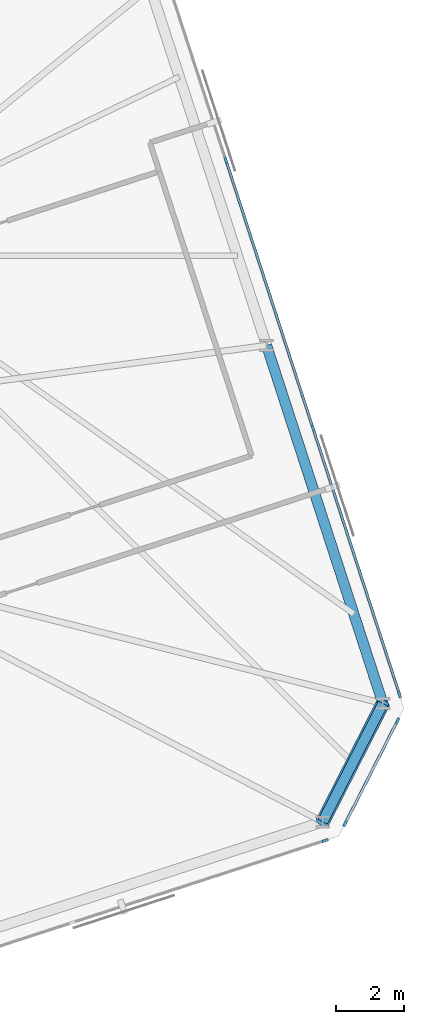
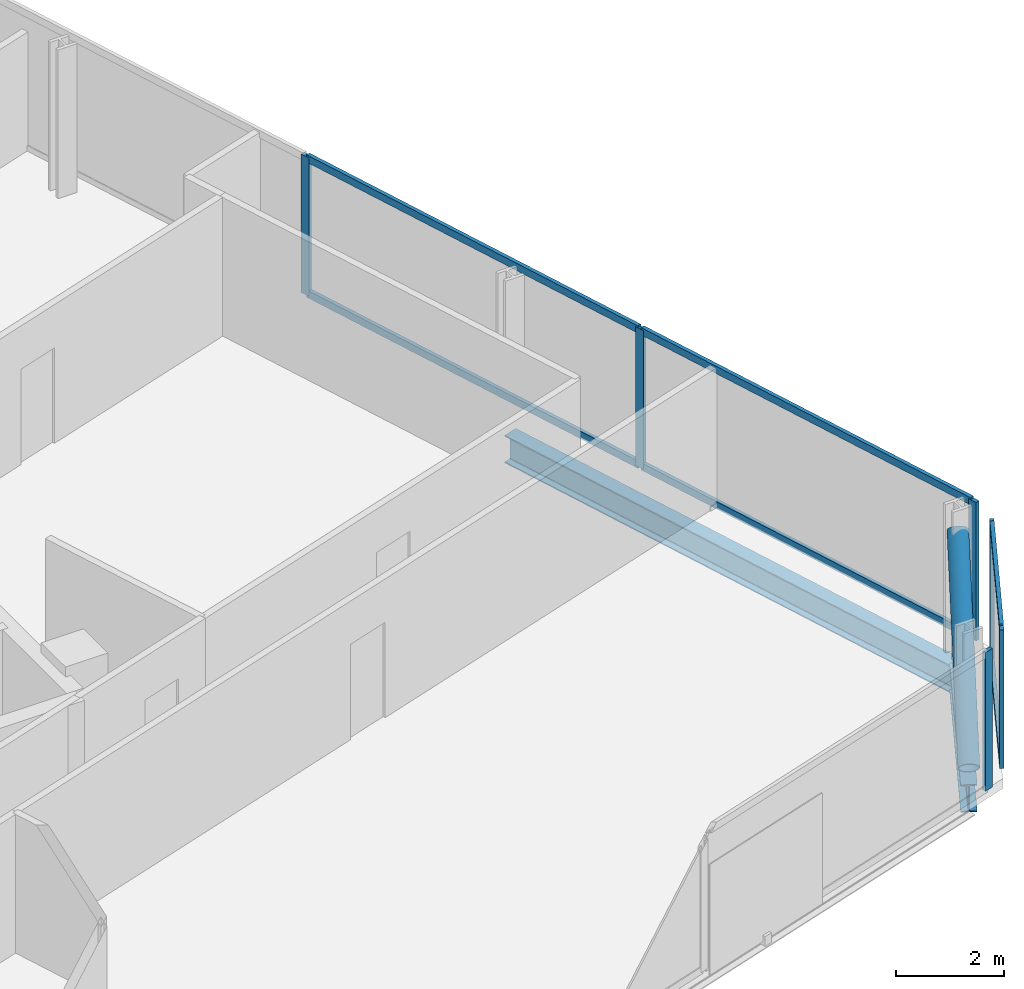
# One storey, part 11 of 19: 13 members, 2 beams, 3 elements without a shape of their own.
"""IFC4 building model written with IfcOpenShell, lengths in metres."""

from ifc_helpers import new_model, si_unit, direction, frame, origin, origin_2d, place, context, subcontext, project, spatial, rectangle, hollow_circle, i_section, extrude, material, material_profile, profile_set, type_object, element, aggregate, save


model = new_model("IFC4")

# Units and contexts
model_context = context("Model", 3, precision=1e-05, world=origin(), true_north=direction((0.0, 1.0)))
body_context = subcontext(model_context, "Body", "Model", "MODEL_VIEW")
ifc_project = project(units=[si_unit("LENGTHUNIT", "METRE"), si_unit("AREAUNIT", "SQUARE_METRE"), si_unit("VOLUMEUNIT", "CUBIC_METRE"), si_unit("PLANEANGLEUNIT", "RADIAN"), si_unit("MASSUNIT", "GRAM", prefix="KILO")], contexts=[model_context])

# Site, building, storey
site_placement = place(None, origin())
site = spatial("IfcSite", under=ifc_project, at=site_placement, CompositionType="ELEMENT")
building_placement = place(site_placement, origin())
building = spatial("IfcBuilding", under=site, at=building_placement, Name="Menara Jurai Vektor", CompositionType="ELEMENT")
storey_placement = place(building_placement, frame((0.0, 0.0, 210.89990234375)))
storey = spatial("IfcBuildingStorey", under=building, at=storey_placement, Name="L55", CompositionType="ELEMENT", Elevation=210.89990234375)

# Curtain wall, member
ifc_material_1 = material(Name="Anodised Pale Aluminium & Low-E Double Glazing", Category="aluminium")
curtain_wall_type = type_object("IfcCurtainWallType", Name="CW-BLK4", PredefinedType="NOTDEFINED", material=ifc_material_1)
curtain_wall_1_placement = place(storey_placement, origin())
curtain_wall_1 = element("IfcCurtainWall", 1, at=curtain_wall_1_placement, inside=storey, type_object=curtain_wall_type, Name="Unitised Curtain Wall L55 F01", PredefinedType="NOTDEFINED")
ifc_material_2 = material(Name="Anodised Pale Aluminium Mullion", Category="aluminium")
ifc_material_profile_1 = material_profile(ifc_material_2, rectangle(XDim=0.080078125, YDim=0.18994140625, at=origin_2d()), Name="ALU MUL 80x190")
ifc_profile_set_1 = profile_set([ifc_material_profile_1], Name="Anodised Pale Aluminium Mullion")
member_type_1 = type_object("IfcMemberType", Name="CW-BLK4-MUL", PredefinedType="MULLION", material=ifc_profile_set_1)
member_1_placement = place(storey_placement, frame((29.810546875, -12.698486328125, 0.0), z_axis=(0.0, 0.0, 1.0), x_axis=(-0.309017344167, 0.951056402641, 0.0)))
member_1 = element("IfcMember", 2, at=member_1_placement, type_object=member_type_1, Name="CW-04 mullion 8", PredefinedType="MULLION", context=body_context, shape_type="SweptSolid", body=[
    extrude(rectangle(XDim=0.080078125, YDim=0.18994140625, at=origin_2d()), origin(), (0.0, 0.0, 1.0), 3.125),
])
aggregate(curtain_wall_1, [member_1])

# Curtain wall, members
curtain_wall_2_placement = place(storey_placement, origin())
curtain_wall_2 = element("IfcCurtainWall", 3, at=curtain_wall_2_placement, inside=storey, type_object=curtain_wall_type, Name="Unitised Curtain Wall L55 F02", PredefinedType="NOTDEFINED")
member_2_placement = place(storey_placement, frame((30.400634765625, -12.194580078125, 0.0), z_axis=(0.0, 0.0, 1.0), x_axis=(-0.89100750243, 0.453988579828, 0.0)))
member_2 = element("IfcMember", 4, at=member_2_placement, type_object=member_type_1, Name="CW-04 mullion 1", PredefinedType="MULLION", context=body_context, shape_type="SweptSolid", body=[
    extrude(rectangle(XDim=0.080078125, YDim=0.18994140625, at=origin_2d()), origin(), (0.0, 0.0, 1.0), 3.125),
])
member_3_placement = place(storey_placement, frame((31.9453125, -9.16259765625, 0.0), z_axis=(0.0, 0.0, 1.0), x_axis=(-0.89100750243, 0.453988579828, 0.0)))
member_3 = element("IfcMember", 5, at=member_3_placement, type_object=member_type_1, Name="CW-04 mullion 2", PredefinedType="MULLION", context=body_context, shape_type="SweptSolid", body=[
    extrude(rectangle(XDim=0.080078125, YDim=0.18994140625, at=origin_2d()), origin(), (0.0, 0.0, 1.0), 3.125),
])

curtain_wall_3_placement = place(storey_placement, origin())
curtain_wall_3 = element("IfcCurtainWall", 6, at=curtain_wall_3_placement, inside=storey, type_object=curtain_wall_type, Name="Unitised Curtain Wall L55 F03", PredefinedType="NOTDEFINED")
member_4_placement = place(storey_placement, frame((32.00634765625, -8.388916015625, 0.0), z_axis=(0.0, 0.0, 1.0), x_axis=(-0.95105668295, -0.309016481464, 0.0)))
member_4 = element("IfcMember", 7, at=member_4_placement, type_object=member_type_1, Name="CW-04 mullion 1", PredefinedType="MULLION", context=body_context, shape_type="SweptSolid", body=[
    extrude(rectangle(XDim=0.080078125, YDim=0.18994140625, at=origin_2d()), origin(), (0.0, 0.0, 1.0), 3.125),
])
member_5_placement = place(storey_placement, frame((29.45068359375, -0.523681640625, 0.0), z_axis=(0.0, 0.0, 1.0), x_axis=(-0.95105668295, -0.309016481464, 0.0)))
member_5 = element("IfcMember", 8, at=member_5_placement, type_object=member_type_1, Name="CW-04 mullion 2", PredefinedType="MULLION", context=body_context, shape_type="SweptSolid", body=[
    extrude(rectangle(XDim=0.080078125, YDim=0.18994140625, at=origin_2d()), origin(), (0.0, 0.0, 1.0), 3.125),
])
member_6_placement = place(storey_placement, frame((26.8828125, 7.379638671875, 0.0), z_axis=(0.0, 0.0, 1.0), x_axis=(-0.95105668295, -0.309016481464, 0.0)))
member_6 = element("IfcMember", 9, at=member_6_placement, type_object=member_type_1, Name="CW-04 mullion 3", PredefinedType="MULLION", context=body_context, shape_type="SweptSolid", body=[
    extrude(rectangle(XDim=0.080078125, YDim=0.18994140625, at=origin_2d()), origin(), (0.0, 0.0, 1.0), 3.125),
])

# Member
ifc_material_3 = material(Name="Anodised Pale Aluminium Transom", Category="aluminium")
ifc_material_profile_2 = material_profile(ifc_material_3, rectangle(XDim=0.080078125, YDim=0.1650390625, at=origin_2d()), Name="ALU TRN 80x165")
ifc_profile_set_2 = profile_set([ifc_material_profile_2], Name="Anodised Pale Aluminium Transom")
member_type_2 = type_object("IfcMemberType", Name="CW-BLK4-TRN", PredefinedType="USERDEFINED", material=ifc_profile_set_2)
member_7_placement = place(storey_placement, frame((30.418701171875, -12.158935546875, 0.0400390625), z_axis=(0.453989617444, 0.89100697374, 0.0), x_axis=(-0.89100697374, 0.453989617444, 0.0)))
member_7 = element("IfcMember", 10, at=member_7_placement, type_object=member_type_2, Name="CW-04 transom 1.1", ObjectType="TRANSOM", PredefinedType="USERDEFINED", context=body_context, shape_type="SweptSolid", body=[
    extrude(rectangle(XDim=0.080078125, YDim=0.1650390625, at=origin_2d()), origin(), (0.0, 0.0, 1.0), 3.32275390625),
])

member_8_placement = place(storey_placement, frame((30.418701171875, -12.158935546875, 3.085205078125), z_axis=(0.453989617444, 0.89100697374, 0.0), x_axis=(-0.89100697374, 0.453989617444, 0.0)))
member_8 = element("IfcMember", 11, at=member_8_placement, type_object=member_type_2, Name="CW-04 transom 1.2", ObjectType="TRANSOM", PredefinedType="USERDEFINED", context=body_context, shape_type="SweptSolid", body=[
    extrude(rectangle(XDim=0.080078125, YDim=0.1650390625, at=origin_2d()), origin(), (0.0, 0.0, 1.0), 3.32275390625),
])

aggregate(curtain_wall_2, [member_2, member_3, member_7, member_8])

member_9_placement = place(storey_placement, frame((31.993896484375, -8.350830078125, 0.0400390625), z_axis=(-0.309010577384, 0.951058601278, 0.0), x_axis=(-0.951058601278, -0.309010577384, 0.0)))
member_9 = element("IfcMember", 12, at=member_9_placement, type_object=member_type_2, Name="CW-04 transom 1.1", ObjectType="TRANSOM", PredefinedType="USERDEFINED", context=body_context, shape_type="SweptSolid", body=[
    extrude(rectangle(XDim=0.080078125, YDim=0.1650390625, at=origin_2d()), origin(), (0.0, 0.0, 1.0), 8.18994140625),
])

member_10_placement = place(storey_placement, frame((31.993896484375, -8.350830078125, 3.085205078125), z_axis=(-0.309010577384, 0.951058601278, 0.0), x_axis=(-0.951058601278, -0.309010577384, 0.0)))
member_10 = element("IfcMember", 13, at=member_10_placement, type_object=member_type_2, Name="CW-04 transom 1.2", ObjectType="TRANSOM", PredefinedType="USERDEFINED", context=body_context, shape_type="SweptSolid", body=[
    extrude(rectangle(XDim=0.080078125, YDim=0.1650390625, at=origin_2d()), origin(), (0.0, 0.0, 1.0), 8.18994140625),
])

member_11_placement = place(storey_placement, frame((29.438232421875, -0.485595703125, 0.0400390625), z_axis=(-0.309018994408, 0.951055866443, 0.0), x_axis=(-0.951055866443, -0.309018994408, 0.0)))
member_11 = element("IfcMember", 14, at=member_11_placement, type_object=member_type_2, Name="CW-04 transom 2.1", ObjectType="TRANSOM", PredefinedType="USERDEFINED", context=body_context, shape_type="SweptSolid", body=[
    extrude(rectangle(XDim=0.080078125, YDim=0.1650390625, at=origin_2d()), origin(), (0.0, 0.0, 1.0), 8.22998046875),
])

member_12_placement = place(storey_placement, frame((29.438232421875, -0.485595703125, 3.085205078125), z_axis=(-0.309018994408, 0.951055866443, 0.0), x_axis=(-0.951055866443, -0.309018994408, 0.0)))
member_12 = element("IfcMember", 15, at=member_12_placement, type_object=member_type_2, Name="CW-04 transom 2.2", ObjectType="TRANSOM", PredefinedType="USERDEFINED", context=body_context, shape_type="SweptSolid", body=[
    extrude(rectangle(XDim=0.080078125, YDim=0.1650390625, at=origin_2d()), origin(), (0.0, 0.0, 1.0), 8.22998046875),
])

aggregate(curtain_wall_3, [member_4, member_5, member_6, member_9, member_10, member_11, member_12])

ifc_material_4 = material(Name="Steel S460", Category="steel")
ifc_material_profile_3 = material_profile(ifc_material_4, hollow_circle(Radius=0.203125, WallThickness=0.01611328125, at=origin_2d()), Name="CHS 406.4x16")
ifc_profile_set_3 = profile_set([ifc_material_profile_3], Name="Steel S460")
member_type_3 = type_object("IfcMemberType", Name="STR-BR-406", PredefinedType="BRACE", material=ifc_profile_set_3)
member_13_placement = place(storey_placement, frame((29.733642578125, -12.14501953125, 0.150146484375), z_axis=(0.377239531316, 0.740351985533, 0.55638949804), x_axis=(-0.891000997215, 0.454001346872, 0.0)))
element("IfcMember", 16, at=member_13_placement, inside=storey, type_object=member_type_3, Name="Exoskeleton Corner Brace L55-1", PredefinedType="BRACE", context=body_context, shape_type="SweptSolid", body=[
    extrude(hollow_circle(Radius=0.203125, WallThickness=0.01611328125, at=origin_2d()), origin(), (0.0, 0.0, 1.0), 4.718017578125),
])

# Beams
ifc_material_5 = material(Name="Steel S355", Category="steel")
ifc_material_profile_4 = material_profile(ifc_material_5, i_section(OverallWidth=0.306884765625, OverallDepth=0.6201171875, WebThickness=0.013916015625, FlangeThickness=0.02392578125, FilletRadius=0.01708984375, at=origin_2d()), Name="UKB 610x305x179")
ifc_profile_set_4 = profile_set([ifc_material_profile_4], Name="Steel S355")
beam_type = type_object("IfcBeamType", Name="STR-SP-610", PredefinedType="SPANDREL", material=ifc_profile_set_4)
beam_1_placement = place(storey_placement, frame((29.7333984375, -12.14501953125, -0.534912109375), z_axis=(0.454050785633, 0.890975804423, 0.0), x_axis=(-0.890975804423, 0.454050785633, 0.0)))
element("IfcBeam", 17, at=beam_1_placement, inside=storey, type_object=beam_type, Name="Exoskeleton Spandrel Beam L55-06", PredefinedType="SPANDREL", context=body_context, shape_type="SweptSolid", body=[
    extrude(i_section(OverallWidth=0.306884765625, OverallDepth=0.6201171875, WebThickness=0.013916015625, FlangeThickness=0.02392578125, FilletRadius=0.01708984375, at=origin_2d()), origin(), (0.0, 0.0, 1.0), 3.92041015625),
])
beam_2_placement = place(storey_placement, frame((31.513427734375, -8.652099609375, -0.534912109375), z_axis=(-0.309012092614, 0.95105810896, 0.0), x_axis=(-0.95105810896, -0.309012092614, 0.0)))
element("IfcBeam", 18, at=beam_2_placement, inside=storey, type_object=beam_type, Name="Exoskeleton Spandrel Beam L55-07", PredefinedType="SPANDREL", context=body_context, shape_type="SweptSolid", body=[
    extrude(i_section(OverallWidth=0.306884765625, OverallDepth=0.6201171875, WebThickness=0.013916015625, FlangeThickness=0.02392578125, FilletRadius=0.01708984375, at=origin_2d()), origin(), (0.0, 0.0, 1.0), 11.11865234375),
])

save(model, "model.ifc")
